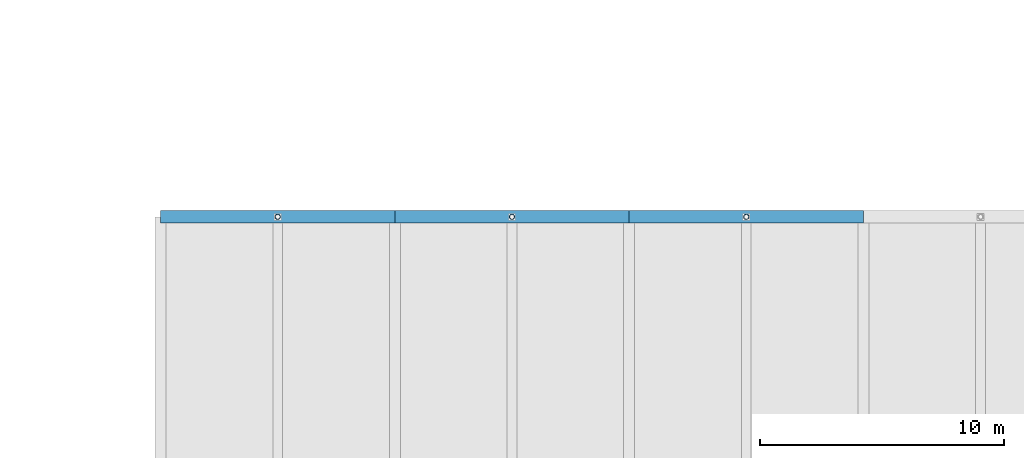
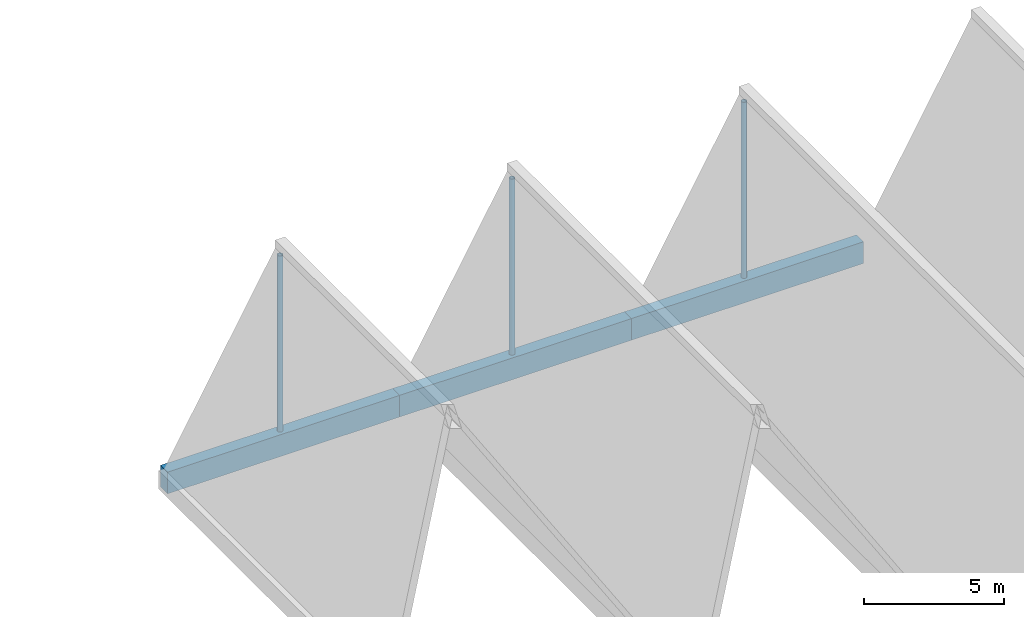
# One storey, part 7 of 86: 3 beams, 3 members, 1 element without a shape of its own.
"""IFC4 building model written with IfcOpenShell, lengths in metres."""

from ifc_helpers import new_model, si_unit, direction, frame, origin, origin_2d, place, context, subcontext, project, spatial, rectangle, hollow_circle, extrude, material, material_profile, profile_set, type_object, element, aggregate, save


model = new_model("IFC4")

# Units and contexts
model_context = context("Model", 3, precision=1e-05, world=origin(), true_north=direction((0.0, 1.0)))
body_context = subcontext(model_context, "Body", "Model", "MODEL_VIEW")
ifc_project = project(units=[si_unit("LENGTHUNIT", "METRE"), si_unit("AREAUNIT", "SQUARE_METRE"), si_unit("VOLUMEUNIT", "CUBIC_METRE"), si_unit("PLANEANGLEUNIT", "RADIAN"), si_unit("MASSUNIT", "GRAM", prefix="KILO")], contexts=[model_context])

# Site, building, storey
site_placement = place(None, origin())
site = spatial("IfcSite", under=ifc_project, at=site_placement, CompositionType="ELEMENT")
building_placement = place(site_placement, origin())
building = spatial("IfcBuilding", under=site, at=building_placement, Name="Oolite Switchyard Hospital", CompositionType="ELEMENT")
storey_placement = place(building_placement, frame((0.0, 0.0, 13.5)))
storey = spatial("IfcBuildingStorey", under=building, at=storey_placement, Name="L03", CompositionType="ELEMENT", Elevation=13.5)

# Roof, beams, members
ifc_material_1 = material(Name="Concrete C40/50", Category="concrete")
roof_type = type_object("IfcRoofType", Name="ROOF-FOLDED", PredefinedType="FREEFORM", material=ifc_material_1)
roof_placement = place(storey_placement, origin())
roof = element("IfcRoof", 1, at=roof_placement, inside=storey, type_object=roof_type, Name="L03 Main Arrival Hall Folded-Plate Roof", PredefinedType="FREEFORM")
ifc_material_profile_1 = material_profile(ifc_material_1, rectangle(XDim=0.5, YDim=0.949951171875, at=origin_2d()), Name="RCG500X950")
ifc_profile_set_1 = profile_set([ifc_material_profile_1], Name="Concrete C40/50")
beam_type = type_object("IfcBeamType", Name="BM-GABLE950", PredefinedType="T_BEAM", material=ifc_profile_set_1)
beam_1_placement = place(storey_placement, frame((67.199951171875, 33.60009765625, -0.47509765625), z_axis=(1.0, 0.0, 0.0), x_axis=(0.0, 1.0, 0.0)))
beam_1 = element("IfcBeam", 2, at=beam_1_placement, type_object=beam_type, Name="Main Hall Gable Diaphragm Tie Beam N1", PredefinedType="T_BEAM", context=body_context, shape_type="SweptSolid", body=[
    extrude(rectangle(XDim=0.5, YDim=0.949951171875, at=origin_2d()), origin(), (0.0, 0.0, 1.0), 9.60009765625),
])
beam_2_placement = place(storey_placement, frame((76.800048828125, 33.60009765625, -0.47509765625), z_axis=(1.0, 0.0, 0.0), x_axis=(0.0, 1.0, 0.0)))
beam_2 = element("IfcBeam", 3, at=beam_2_placement, type_object=beam_type, Name="Main Hall Gable Diaphragm Tie Beam N2", PredefinedType="T_BEAM", context=body_context, shape_type="SweptSolid", body=[
    extrude(rectangle(XDim=0.5, YDim=0.949951171875, at=origin_2d()), origin(), (0.0, 0.0, 1.0), 9.599853515625),
])
beam_3_placement = place(storey_placement, frame((86.39990234375, 33.60009765625, -0.47509765625), z_axis=(1.0, 0.0, 0.0), x_axis=(0.0, 1.0, 0.0)))
beam_3 = element("IfcBeam", 4, at=beam_3_placement, type_object=beam_type, Name="Main Hall Gable Diaphragm Tie Beam N3", PredefinedType="T_BEAM", context=body_context, shape_type="SweptSolid", body=[
    extrude(rectangle(XDim=0.5, YDim=0.949951171875, at=origin_2d()), origin(), (0.0, 0.0, 1.0), 9.60009765625),
])
ifc_material_2 = material(Name="Steel ASTM A500 Grade C", Category="steel")
ifc_material_profile_2 = material_profile(ifc_material_2, hollow_circle(Radius=0.109619140625, WallThickness=0.012939453125, at=origin_2d()), Name="HSS219X13")
ifc_profile_set_2 = profile_set([ifc_material_profile_2], Name="Steel ASTM A500 Grade C")
member_type = type_object("IfcMemberType", Name="MEM-ST-CHS219", PredefinedType="STRUT", material=ifc_profile_set_2)
member_1_placement = place(storey_placement, frame((72.0, 33.60009765625, 0.0), z_axis=(0.0, 0.0, 1.0), x_axis=(1.0, 0.0, 0.0)))
member_1 = element("IfcMember", 5, at=member_1_placement, type_object=member_type, Name="Main Hall Gable King-Post Strut N1", PredefinedType="STRUT", context=body_context, shape_type="SweptSolid", body=[
    extrude(hollow_circle(Radius=0.109619140625, WallThickness=0.012939453125, at=origin_2d()), origin(), (0.0, 0.0, 1.0), 7.699951171875),
])
member_2_placement = place(storey_placement, frame((81.60009765625, 33.60009765625, 0.0), z_axis=(0.0, 0.0, 1.0), x_axis=(1.0, 0.0, 0.0)))
member_2 = element("IfcMember", 6, at=member_2_placement, type_object=member_type, Name="Main Hall Gable King-Post Strut N2", PredefinedType="STRUT", context=body_context, shape_type="SweptSolid", body=[
    extrude(hollow_circle(Radius=0.109619140625, WallThickness=0.012939453125, at=origin_2d()), origin(), (0.0, 0.0, 1.0), 7.699951171875),
])
member_3_placement = place(storey_placement, frame((91.199951171875, 33.60009765625, 0.0), z_axis=(0.0, 0.0, 1.0), x_axis=(1.0, 0.0, 0.0)))
member_3 = element("IfcMember", 7, at=member_3_placement, type_object=member_type, Name="Main Hall Gable King-Post Strut N3", PredefinedType="STRUT", context=body_context, shape_type="SweptSolid", body=[
    extrude(hollow_circle(Radius=0.109619140625, WallThickness=0.012939453125, at=origin_2d()), origin(), (0.0, 0.0, 1.0), 7.699951171875),
])
aggregate(roof, [beam_1, member_1, beam_2, member_2, beam_3, member_3])

save(model, "model.ifc")
